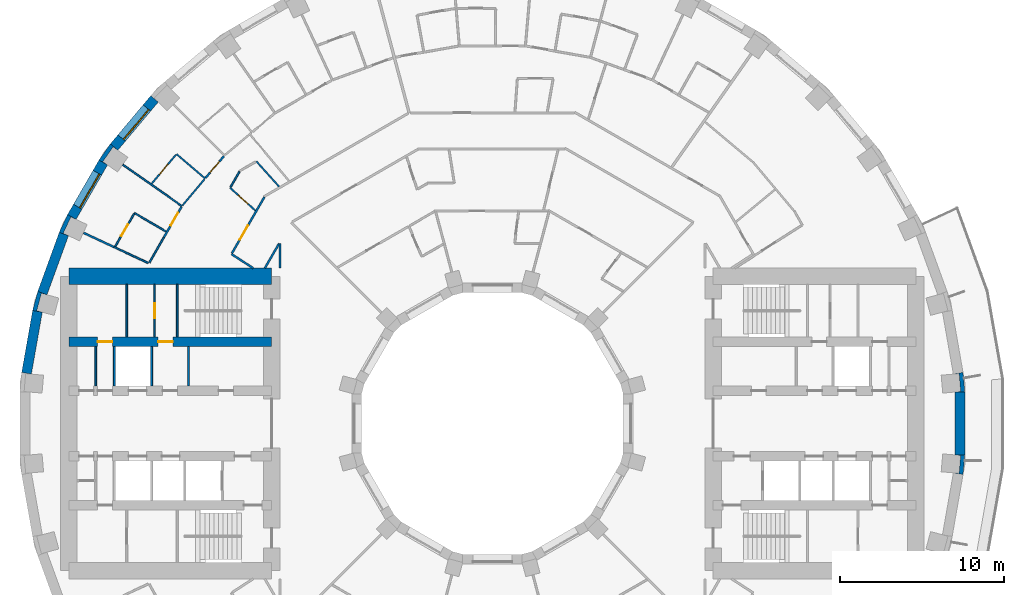
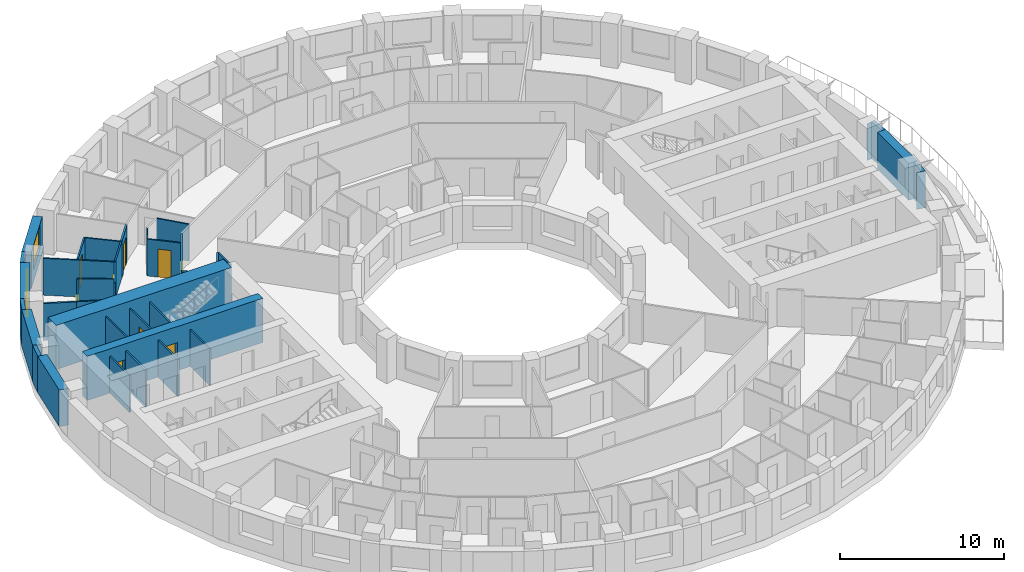
# One storey, part 8 of 14: 37 walls, 9 doors, 2 windows, 11 openings.
"""IFC4 building model written with IfcOpenShell, lengths in metres."""

from ifc_helpers import new_model, si_unit, direction, frame, frame_2d, origin, place, context, subcontext, project, spatial, polyline, rectangle, outline, extrude, material, layer, layer_set, type_object, element, fill, save


model = new_model("IFC4")

# Units and contexts
model_context = context("Model", 3, precision=1e-05, world=origin(), true_north=direction((0.0, 1.0)))
body_context = subcontext(model_context, "Body", "Model", "MODEL_VIEW")
ifc_project = project(units=[si_unit("LENGTHUNIT", "METRE"), si_unit("AREAUNIT", "SQUARE_METRE"), si_unit("VOLUMEUNIT", "CUBIC_METRE"), si_unit("PLANEANGLEUNIT", "RADIAN"), si_unit("MASSUNIT", "GRAM", prefix="KILO")], contexts=[model_context])

# Site, building, storey
site_placement = place(None, origin())
site = spatial("IfcSite", under=ifc_project, at=site_placement, CompositionType="ELEMENT")
building_placement = place(site_placement, origin())
building = spatial("IfcBuilding", under=site, at=building_placement, Name="Saqina Gate Tower", CompositionType="ELEMENT")
storey_placement = place(building_placement, frame((0.0, 0.0, 46.10009765625)))
storey = spatial("IfcBuildingStorey", under=building, at=storey_placement, Name="L12", CompositionType="ELEMENT", Elevation=46.10009765625)

# Walls
ifc_material_1 = material(Name="Brick masonry (red)", Category="masonry")
wall_type_1 = type_object("IfcWallType", Name="BRICK PIER COPING RED", PredefinedType="SOLIDWALL", material=ifc_material_1)
wall_1_placement = place(storey_placement, origin())
element("IfcWall", 1, at=wall_1_placement, inside=storey, type_object=wall_type_1, Name="Pier cap L12 column 1", PredefinedType="SOLIDWALL", context=body_context, shape_type="SweptSolid", body=[
    extrude(outline(polyline([(28.8896484375, 1.9228515625), (28.78466796875, 3.122802734375), (28.19384765625, 3.018798828125), (28.54296875, 3.04931640625), (28.638671875, 1.95361328125), (28.28955078125, 1.9228515625), (28.8896484375, 1.9228515625)])), origin(), (0.0, 0.0, 1.0), 2.75),
])
wall_2_placement = place(storey_placement, origin())
element("IfcWall", 2, at=wall_2_placement, inside=storey, type_object=wall_type_1, Name="Pier cap L12 column 15", PredefinedType="SOLIDWALL", context=body_context, shape_type="SweptSolid", body=[
    extrude(outline(polyline([(-23.36669921875, 17.096923828125), (-24.0576171875, 16.110107421875), (-23.5380859375, 15.81005859375), (-23.8251953125, 16.010986328125), (-23.194091796875, 16.912109375), (-22.9072265625, 16.711181640625), (-23.36669921875, 17.096923828125)])), origin(), (0.0, 0.0, 1.0), 2.75),
])
wall_3_placement = place(storey_placement, origin())
element("IfcWall", 3, at=wall_3_placement, inside=storey, type_object=wall_type_1, Name="Pier cap L12 column 16", PredefinedType="SOLIDWALL", context=body_context, shape_type="SweptSolid", body=[
    extrude(outline(polyline([(-26.48974609375, 11.687744140625), (-25.92578125, 11.482666015625), (-26.243408203125, 11.630615234375), (-25.778564453125, 12.627685546875), (-25.4609375, 12.4794921875), (-25.980712890625, 12.779541015625), (-26.48974609375, 11.687744140625)])), origin(), (0.0, 0.0, 1.0), 2.75),
])
wall_4_placement = place(storey_placement, origin())
element("IfcWall", 4, at=wall_4_placement, inside=storey, type_object=wall_type_1, Name="Pier cap L12 column 17", PredefinedType="SOLIDWALL", context=body_context, shape_type="SweptSolid", body=[
    extrude(outline(polyline([(-28.11669921875, 6.910400390625), (-27.52587890625, 6.80615234375), (-27.864501953125, 6.896728515625), (-27.57958984375, 7.95947265625), (-27.2412109375, 7.86865234375), (-27.80517578125, 8.073974609375), (-28.11669921875, 6.910400390625)])), origin(), (0.0, 0.0, 1.0), 2.75),
])
wall_5_placement = place(storey_placement, origin())
element("IfcWall", 5, at=wall_5_placement, inside=storey, type_object=wall_type_1, Name="Pier cap L12 column 36", PredefinedType="SOLIDWALL", context=body_context, shape_type="SweptSolid", body=[
    extrude(outline(polyline([(28.78466796875, -3.122802734375), (28.8896484375, -1.9228515625), (28.28955078125, -1.9228515625), (28.638671875, -1.95361328125), (28.54296875, -3.04931640625), (28.19384765625, -3.018798828125), (28.78466796875, -3.122802734375)])), origin(), (0.0, 0.0, 1.0), 2.75),
])
ifc_material_2 = material(Name="Gypsum board on steel studs", Category="steel")
ifc_layer_1 = layer(ifc_material_2, 0.10009765625)
ifc_layer_set_1 = layer_set([ifc_layer_1], Name="CORE PARTITION")
wall_type_2 = type_object("IfcWallType", Name="CORE PARTITION", PredefinedType="PARTITIONING", material=ifc_layer_set_1)
for number, where, z_axis, x_axis, name in (
    (6, (-18.582763671875, 2.300048828125, 0.0), (0.0, 0.0, 1.0), (0.0, 1.0, 0.0), "L12-CP-W01"),
    (7, (-24.260009765625, 2.300048828125, 0.0), (0.0, 0.0, 1.0), (0.0, 1.0, 0.0), "L12-CP-W04"),
):
    element("IfcWall", number, at=place(storey_placement, frame(where, z_axis=z_axis, x_axis=x_axis)), inside=storey, type_object=wall_type_2, Name=name, PredefinedType="PARTITIONING", context=body_context, shape_type="SweptSolid", body=[
        extrude(rectangle(XDim=2.39990234375, YDim=0.10009765625, at=frame_2d((1.199951171875, 0.0))), origin(), (0.0, 0.0, 1.0), 2.75),
    ])

# Wall, opening, door
wall_6_placement = place(storey_placement, frame((-20.65771484375, 5.300048828125, 0.0), z_axis=(0.0, 0.0, 1.0), x_axis=(0.0, 1.0, 0.0)))
wall_6 = element("IfcWall", 8, at=wall_6_placement, inside=storey, type_object=wall_type_2, Name="L12-CP-W12", PredefinedType="PARTITIONING", context=body_context, shape_type="SweptSolid", body=[
    extrude(rectangle(XDim=3.199951171875, YDim=0.10009765625, at=frame_2d((1.60009765625, 0.0))), origin(), (0.0, 0.0, 1.0), 2.75),
])
opening_1_placement = place(wall_6_placement, frame((1.14990234375, 0.0, 0.0)))
opening_1 = element("IfcOpeningElement", 9, at=opening_1_placement, cuts=wall_6, Name="Opening G03-D114", PredefinedType="OPENING", context=body_context, shape_type="SweptSolid", body=[
    extrude(rectangle(XDim=0.89990234375, YDim=2.10009765625, at=frame_2d((0.449951171875, 1.050048828125))), frame((0.0, 0.06201171875, 0.0), z_axis=(0.0, -1.0, 0.0), x_axis=(1.0, 0.0, 0.0)), (0.0, 0.0, 1.0), 0.1240234375),
])
ifc_material_3 = material(Name="Steel-framed fire door leaf, EI 60", Category="steel")
door_type_1 = type_object("IfcDoorType", Name="SERVICE ROOM DOOR 900", OperationType="SINGLE_SWING_LEFT", PredefinedType="DOOR", material=ifc_material_3)
door_1_placement = place(opening_1_placement, origin())
door_1 = element("IfcDoor", 10, at=door_1_placement, inside=storey, type_object=door_type_1, Name="L12-CD-W25", OperationType="SINGLE_SWING_LEFT", OverallHeight=2.10009765625, OverallWidth=0.89990234375, PredefinedType="DOOR", context=body_context, shape_type="SweptSolid", body=[
    extrude(rectangle(XDim=0.89990234375, YDim=2.10009765625, at=frame_2d((0.449951171875, 1.050048828125))), frame((0.0, 0.02490234375, 0.0), z_axis=(0.0, -1.0, 0.0), x_axis=(1.0, 0.0, 0.0)), (0.0, 0.0, 1.0), 0.050048828125),
])
fill(opening_1, door_1)

# Wall
wall_7_placement = place(storey_placement, frame((-22.360107421875, 5.300048828125, 0.0), z_axis=(0.0, 0.0, 1.0), x_axis=(0.0, 1.0, 0.0)))
element("IfcWall", 11, at=wall_7_placement, inside=storey, type_object=wall_type_2, Name="L12-CP-W13", PredefinedType="PARTITIONING", context=body_context, shape_type="SweptSolid", body=[
    extrude(rectangle(XDim=3.199951171875, YDim=0.10009765625, at=frame_2d((1.60009765625, 0.0))), origin(), (0.0, 0.0, 1.0), 2.75),
])

# Wall, opening, window
ifc_material_4 = material(Name="Brick masonry (red)", Category="masonry")
ifc_layer_2 = layer(ifc_material_4, 0.60009765625)
ifc_layer_set_2 = layer_set([ifc_layer_2], Name="FW-BRICK-RED")
wall_type_3 = type_object("IfcWallType", Name="FW-BRICK-RED", PredefinedType="SOLIDWALL", material=ifc_layer_set_2)
wall_8_placement = place(storey_placement, frame((-20.664794921875, 19.85009765625, 0.0), z_axis=(0.0, 0.0, 1.0), x_axis=(-0.642809392687, -0.766026164483, 0.0)))
wall_8 = element("IfcWall", 12, at=wall_8_placement, inside=storey, type_object=wall_type_3, Name="Facade wall L12 facet 14", PredefinedType="SOLIDWALL", context=body_context, shape_type="SweptSolid", body=[
    extrude(rectangle(XDim=3.845947265625, YDim=0.60009765625, at=frame_2d((1.9228515625, 0.0))), origin(), (0.0, 0.0, 1.0), 2.75),
])
opening_2_placement = place(wall_8_placement, frame((0.722900390625, 0.0, 0.89990234375)))
opening_2 = element("IfcOpeningElement", 13, at=opening_2_placement, cuts=wall_8, Name="Opening G03-W12", PredefinedType="OPENING", context=body_context, shape_type="SweptSolid", body=[
    extrude(rectangle(XDim=2.39990234375, YDim=1.800048828125, at=frame_2d((1.199951171875, 0.89990234375))), frame((0.0, 0.31201171875, 0.0), z_axis=(0.0, -1.0, 0.0), x_axis=(1.0, 0.0, 0.0)), (0.0, 0.0, 1.0), 0.6240234375),
])
ifc_material_5 = material(Name="Aluminium glazing", Category="aluminium")
window_type = type_object("IfcWindowType", Name="WN-A", PartitioningType="SINGLE_PANEL", PredefinedType="WINDOW", material=ifc_material_5)
window_1_placement = place(opening_2_placement, origin())
window_1 = element("IfcWindow", 14, at=window_1_placement, inside=storey, type_object=window_type, Name="Window L12 facet 14", OverallHeight=1.800048828125, OverallWidth=2.39990234375, PartitioningType="SINGLE_PANEL", PredefinedType="WINDOW", context=body_context, shape_type="SweptSolid", body=[
    extrude(rectangle(XDim=2.39990234375, YDim=1.800048828125, at=frame_2d((1.199951171875, 0.89990234375))), frame((0.0, 0.179931640625, 0.0), z_axis=(0.0, -1.0, 0.0), x_axis=(1.0, 0.0, 0.0)), (0.0, 0.0, 1.0), 0.06005859375),
])
fill(opening_2, window_1)

wall_9_placement = place(storey_placement, frame((-23.7978515625, 15.960205078125, 0.0), z_axis=(0.0, 0.0, 1.0), x_axis=(-0.499989888488, -0.86603124159, 0.0)))
wall_9 = element("IfcWall", 15, at=wall_9_placement, inside=storey, type_object=wall_type_3, Name="Facade wall L12 facet 15", PredefinedType="SOLIDWALL", context=body_context, shape_type="SweptSolid", body=[
    extrude(rectangle(XDim=3.845703125, YDim=0.60009765625, at=frame_2d((1.9228515625, 0.0))), origin(), (0.0, 0.0, 1.0), 2.75),
])
opening_3_placement = place(wall_9_placement, frame((0.722900390625, 0.0, 0.89990234375)))
opening_3 = element("IfcOpeningElement", 16, at=opening_3_placement, cuts=wall_9, Name="Opening G03-W13", PredefinedType="OPENING", context=body_context, shape_type="SweptSolid", body=[
    extrude(rectangle(XDim=2.39990234375, YDim=1.800048828125, at=frame_2d((1.199951171875, 0.89990234375))), frame((0.0, 0.31201171875, 0.0), z_axis=(0.0, -1.0, 0.0), x_axis=(1.0, 0.0, 0.0)), (0.0, 0.0, 1.0), 0.6240234375),
])
window_2_placement = place(opening_3_placement, origin())
window_2 = element("IfcWindow", 17, at=window_2_placement, inside=storey, type_object=window_type, Name="Window L12 facet 15", OverallHeight=1.800048828125, OverallWidth=2.39990234375, PartitioningType="SINGLE_PANEL", PredefinedType="WINDOW", context=body_context, shape_type="SweptSolid", body=[
    extrude(rectangle(XDim=2.39990234375, YDim=1.800048828125, at=frame_2d((1.199951171875, 0.89990234375))), frame((0.0, 0.179931640625, 0.0), z_axis=(0.0, -1.0, 0.0), x_axis=(1.0, 0.0, 0.0)), (0.0, 0.0, 1.0), 0.06005859375),
])
fill(opening_3, window_2)

# Walls
ifc_material_6 = material(Name="Glazed ceramic tile", Category="ceramic")
ifc_layer_3 = layer(ifc_material_6, 0.60009765625)
ifc_layer_set_3 = layer_set([ifc_layer_3], Name="FW-TILE")
wall_type_4 = type_object("IfcWallType", Name="FW-TILE", PredefinedType="SOLIDWALL", material=ifc_layer_set_3)
wall_10_placement = place(storey_placement, frame((-27.8212890625, 6.858154296875, 0.0), z_axis=(0.0, 0.0, 1.0), x_axis=(-0.173687553279, -0.984800809218, 0.0)))
element("IfcWall", 18, at=wall_10_placement, inside=storey, type_object=wall_type_4, Name="Facade wall L12 facet 17", PredefinedType="SOLIDWALL", context=body_context, shape_type="SweptSolid", body=[
    extrude(rectangle(XDim=3.845703125, YDim=0.60009765625, at=frame_2d((1.9228515625, 0.0))), origin(), (0.0, 0.0, 1.0), 2.75),
])
ifc_material_7 = material(Name="Glazed ceramic tile (white)", Category="ceramic")
ifc_layer_4 = layer(ifc_material_7, 0.60009765625)
ifc_layer_set_4 = layer_set([ifc_layer_4], Name="FW-TILE-WH")
wall_type_5 = type_object("IfcWallType", Name="FW-TILE-WH", PredefinedType="SOLIDWALL", material=ifc_layer_set_4)
wall_11_placement = place(storey_placement, frame((-26.207763671875, 11.585205078125, 0.0), z_axis=(0.0, 0.0, 1.0), x_axis=(-0.342028474173, -0.939689588564, 0.0)))
element("IfcWall", 19, at=wall_11_placement, inside=storey, type_object=wall_type_5, Name="Facade wall L12 facet 16", PredefinedType="SOLIDWALL", context=body_context, shape_type="SweptSolid", body=[
    extrude(rectangle(XDim=3.845947265625, YDim=0.60009765625, at=frame_2d((1.9228515625, 0.0))), origin(), (0.0, 0.0, 1.0), 2.75),
])
wall_12_placement = place(storey_placement, frame((28.589599609375, -1.9228515625, 0.0), z_axis=(0.0, 0.0, 1.0), x_axis=(0.0, 1.0, 0.0)))
element("IfcWall", 20, at=wall_12_placement, inside=storey, type_object=wall_type_5, Name="Facade wall L12 facet 36", PredefinedType="SOLIDWALL", context=body_context, shape_type="SweptSolid", body=[
    extrude(rectangle(XDim=3.845703125, YDim=0.60009765625, at=frame_2d((1.9228515625, 0.0))), origin(), (0.0, 0.0, 1.0), 2.75),
])
ifc_material_8 = material(Name="Gypsum board on steel studs, 100 mm", Category="steel")
ifc_layer_5 = layer(ifc_material_8, 0.10009765625)
ifc_layer_set_5 = layer_set([ifc_layer_5], Name="PARTITION 100")
wall_type_6 = type_object("IfcWallType", Name="PARTITION 100", PredefinedType="PARTITIONING", material=ifc_layer_set_5)
wall_13_placement = place(storey_placement, frame((-14.43408203125, 16.030029296875, 0.0), z_axis=(0.0, 0.0, 1.0), x_axis=(0.669113598408, -0.743160139153, 0.0)))
element("IfcWall", 21, at=wall_13_placement, inside=storey, type_object=wall_type_6, Name="PARTITION PW3-32", PredefinedType="PARTITIONING", context=body_context, shape_type="SweptSolid", body=[
    extrude(rectangle(XDim=2.083740234375, YDim=0.10009765625, at=frame_2d((1.0419921875, 0.0))), origin(), (0.0, 0.0, 1.0), 2.75),
])

# Wall, opening, door
wall_14_placement = place(storey_placement, frame((-16.0419921875, 14.4130859375, 0.0), z_axis=(0.0, 0.0, 1.0), x_axis=(0.743835847678, -0.668362350608, 0.0)))
wall_14 = element("IfcWall", 22, at=wall_14_placement, inside=storey, type_object=wall_type_6, Name="PARTITION PW3-35", PredefinedType="PARTITIONING", context=body_context, shape_type="SweptSolid", body=[
    extrude(rectangle(XDim=2.083251953125, YDim=0.10009765625, at=frame_2d((1.04150390625, 0.0))), origin(), (0.0, 0.0, 1.0), 2.75),
])
opening_4_placement = place(wall_14_placement, frame((0.6728515625, 0.0, 0.0)))
opening_4 = element("IfcOpeningElement", 23, at=opening_4_placement, cuts=wall_14, Name="Opening G03-D34", PredefinedType="OPENING", context=body_context, shape_type="SweptSolid", body=[
    extrude(rectangle(XDim=0.800048828125, YDim=2.10009765625, at=frame_2d((0.39990234375, 1.050048828125))), frame((0.0, 0.06201171875, 0.0), z_axis=(0.0, -1.0, 0.0), x_axis=(1.0, 0.0, 0.0)), (0.0, 0.0, 1.0), 0.1240234375),
])
ifc_material_9 = material(Name="Timber door leaf, 800 mm", Category="wood")
door_type_2 = type_object("IfcDoorType", Name="DOOR 800 TIMBER", OperationType="SINGLE_SWING_LEFT", PredefinedType="DOOR", material=ifc_material_9)
door_2_placement = place(opening_4_placement, frame((0.800048828125, 0.0, 0.0), z_axis=(0.0, 0.0, 1.0), x_axis=(-1.0, 0.0, 0.0)))
door_2 = element("IfcDoor", 24, at=door_2_placement, inside=storey, type_object=door_type_2, Name="DOOR G03-D34", OperationType="SINGLE_SWING_LEFT", OverallHeight=2.10009765625, OverallWidth=0.800048828125, PredefinedType="DOOR", context=body_context, shape_type="SweptSolid", body=[
    extrude(rectangle(XDim=0.800048828125, YDim=2.10009765625, at=frame_2d((0.39990234375, 1.050048828125))), frame((0.0, 0.02490234375, 0.0), z_axis=(0.0, -1.0, 0.0), x_axis=(1.0, 0.0, 0.0)), (0.0, 0.0, 1.0), 0.050048828125),
])
fill(opening_4, door_2)

# Walls
wall_15_placement = place(storey_placement, frame((-19.319091796875, 16.47607421875, 0.0), z_axis=(0.0, 0.0, 1.0), x_axis=(0.760722977127, -0.649076691979, 0.0)))
element("IfcWall", 25, at=wall_15_placement, inside=storey, type_object=wall_type_6, Name="PARTITION PW3-36", PredefinedType="PARTITIONING", context=body_context, shape_type="SweptSolid", body=[
    extrude(rectangle(XDim=2.300537109375, YDim=0.10009765625, at=frame_2d((1.150390625, 0.0))), origin(), (0.0, 0.0, 1.0), 2.75),
])
wall_16_placement = place(storey_placement, frame((-22.597412109375, 15.829345703125, 0.0), z_axis=(0.0, 0.0, 1.0), x_axis=(0.818435722788, -0.57459809229, 0.0)))
element("IfcWall", 26, at=wall_16_placement, inside=storey, type_object=wall_type_6, Name="PARTITION PW3-41", PredefinedType="PARTITIONING", context=body_context, shape_type="SweptSolid", body=[
    extrude(rectangle(XDim=4.41259765625, YDim=0.10009765625, at=frame_2d((2.206298828125, 0.0))), origin(), (0.0, 0.0, 1.0), 2.75),
])
wall_17_placement = place(storey_placement, frame((-21.885986328125, 12.87109375, 0.0), z_axis=(0.0, 0.0, 1.0), x_axis=(0.861880909545, -0.507110735206, 0.0)))
element("IfcWall", 27, at=wall_17_placement, inside=storey, type_object=wall_type_6, Name="PARTITION PW3-43", PredefinedType="PARTITIONING", context=body_context, shape_type="SweptSolid", body=[
    extrude(rectangle(XDim=2.2373046875, YDim=0.10009765625, at=frame_2d((1.11865234375, 0.0))), origin(), (0.0, 0.0, 1.0), 2.75),
])
wall_18_placement = place(storey_placement, frame((-23.144287109375, 10.7919921875, 0.0), z_axis=(0.0, 0.0, 1.0), x_axis=(0.906334330548, -0.422561334329, 0.0)))
element("IfcWall", 28, at=wall_18_placement, inside=storey, type_object=wall_type_6, Name="PARTITION PW3-52", PredefinedType="PARTITIONING", context=body_context, shape_type="SweptSolid", body=[
    extrude(rectangle(XDim=2.309326171875, YDim=0.10009765625, at=frame_2d((1.15478515625, 0.0))), origin(), (0.0, 0.0, 1.0), 2.75),
])
wall_19_placement = place(storey_placement, frame((-18.953857421875, 13.332275390625, 0.0), z_axis=(0.0, 0.0, 1.0), x_axis=(0.642759429892, 0.766068087891, 0.0)))
element("IfcWall", 29, at=wall_19_placement, inside=storey, type_object=wall_type_6, Name="PARTITION PW3-103", PredefinedType="PARTITIONING", context=body_context, shape_type="SweptSolid", body=[
    extrude(rectangle(XDim=2.104736328125, YDim=0.10009765625, at=frame_2d((1.05224609375, 0.0))), origin(), (0.0, 0.0, 1.0), 2.75),
])

# Wall, opening, door
wall_20_placement = place(storey_placement, frame((-20.844970703125, 14.6572265625, 0.0), z_axis=(0.0, 0.0, 1.0), x_axis=(0.642753483788, 0.766073076853, 0.0)))
wall_20 = element("IfcWall", 30, at=wall_20_placement, inside=storey, type_object=wall_type_6, Name="PARTITION PW3-104", PredefinedType="PARTITIONING", context=body_context, shape_type="SweptSolid", body=[
    extrude(rectangle(XDim=2.32421875, YDim=0.10009765625, at=frame_2d((1.162109375, 0.0))), origin(), (0.0, 0.0, 1.0), 2.75),
])
opening_5_placement = place(wall_20_placement, frame((0.761962890625, 0.0, 0.0)))
opening_5 = element("IfcOpeningElement", 31, at=opening_5_placement, cuts=wall_20, Name="Opening G03-D35", PredefinedType="OPENING", context=body_context, shape_type="SweptSolid", body=[
    extrude(rectangle(XDim=0.800048828125, YDim=2.10009765625, at=frame_2d((0.39990234375, 1.050048828125))), frame((0.0, 0.06201171875, 0.0), z_axis=(0.0, -1.0, 0.0), x_axis=(1.0, 0.0, 0.0)), (0.0, 0.0, 1.0), 0.1240234375),
])
door_3_placement = place(opening_5_placement, origin())
door_3 = element("IfcDoor", 32, at=door_3_placement, inside=storey, type_object=door_type_2, Name="DOOR G03-D35", OperationType="SINGLE_SWING_LEFT", OverallHeight=2.10009765625, OverallWidth=0.800048828125, PredefinedType="DOOR", context=body_context, shape_type="SweptSolid", body=[
    extrude(rectangle(XDim=0.800048828125, YDim=2.10009765625, at=frame_2d((0.39990234375, 1.050048828125))), frame((0.0, 0.02490234375, 0.0), z_axis=(0.0, -1.0, 0.0), x_axis=(1.0, 0.0, 0.0)), (0.0, 0.0, 1.0), 0.050048828125),
])
fill(opening_5, door_3)

# Walls
wall_21_placement = place(storey_placement, frame((-16.01708984375, 14.456298828125, 0.0), z_axis=(0.0, 0.0, 1.0), x_axis=(0.499864305946, 0.86610373261, 0.0)))
element("IfcWall", 33, at=wall_21_placement, inside=storey, type_object=wall_type_6, Name="PARTITION PW3-108", PredefinedType="PARTITIONING", context=body_context, shape_type="SweptSolid", body=[
    extrude(rectangle(XDim=1.092529296875, YDim=0.10009765625, at=frame_2d((0.54638671875, 0.0))), origin(), (0.0, 0.0, 1.0), 2.75),
])
wall_22_placement = place(storey_placement, frame((-20.98095703125, 9.83837890625, 0.0), z_axis=(0.0, 0.0, 1.0), x_axis=(0.49973828311, 0.866176453382, 0.0)))
element("IfcWall", 34, at=wall_22_placement, inside=storey, type_object=wall_type_6, Name="PARTITION PW3-109", PredefinedType="PARTITIONING", context=body_context, shape_type="SweptSolid", body=[
    extrude(rectangle(XDim=1.7802734375, YDim=0.10009765625, at=frame_2d((0.89013671875, 0.0))), origin(), (0.0, 0.0, 1.0), 2.75),
])

# Wall, opening, door
wall_23_placement = place(storey_placement, frame((-23.07275390625, 10.816162109375, 0.0), z_axis=(0.0, 0.0, 1.0), x_axis=(0.500174283544, 0.865924757748, 0.0)))
wall_23 = element("IfcWall", 35, at=wall_23_placement, inside=storey, type_object=wall_type_6, Name="PARTITION PW3-110", PredefinedType="PARTITIONING", context=body_context, shape_type="SweptSolid", body=[
    extrude(rectangle(XDim=2.322998046875, YDim=0.10009765625, at=frame_2d((1.16162109375, 0.0))), origin(), (0.0, 0.0, 1.0), 2.75),
])
opening_6_placement = place(wall_23_placement, frame((0.76025390625, 0.0, 0.0)))
opening_6 = element("IfcOpeningElement", 36, at=opening_6_placement, cuts=wall_23, Name="Opening G03-D38", PredefinedType="OPENING", context=body_context, shape_type="SweptSolid", body=[
    extrude(rectangle(XDim=0.800048828125, YDim=2.10009765625, at=frame_2d((0.39990234375, 1.050048828125))), frame((0.0, 0.06201171875, 0.0), z_axis=(0.0, -1.0, 0.0), x_axis=(1.0, 0.0, 0.0)), (0.0, 0.0, 1.0), 0.1240234375),
])
door_4_placement = place(opening_6_placement, origin())
door_4 = element("IfcDoor", 37, at=door_4_placement, inside=storey, type_object=door_type_2, Name="DOOR G03-D38", OperationType="SINGLE_SWING_LEFT", OverallHeight=2.10009765625, OverallWidth=0.800048828125, PredefinedType="DOOR", context=body_context, shape_type="SweptSolid", body=[
    extrude(rectangle(XDim=0.800048828125, YDim=2.10009765625, at=frame_2d((0.39990234375, 1.050048828125))), frame((0.0, 0.02490234375, 0.0), z_axis=(0.0, -1.0, 0.0), x_axis=(1.0, 0.0, 0.0)), (0.0, 0.0, 1.0), 0.050048828125),
])
fill(opening_6, door_4)

# Walls
ifc_material_10 = material(Name="Gypsum board on steel studs, 125 mm, fire rated", Category="steel")
ifc_layer_6 = layer(ifc_material_10, 0.125)
ifc_layer_set_6 = layer_set([ifc_layer_6], Name="PARTITION EI 30 125")
wall_type_7 = type_object("IfcWallType", Name="PARTITION EI 30 125", PredefinedType="PARTITIONING", material=ifc_layer_set_6)
wall_24_placement = place(storey_placement, frame((-15.95703125, 10.362060546875, 0.0), z_axis=(0.0, 0.0, 1.0), x_axis=(0.838795721465, -0.544446267002, 0.0)))
element("IfcWall", 38, at=wall_24_placement, inside=storey, type_object=wall_type_7, Name="PARTITION PW1-10", PredefinedType="PARTITIONING", context=body_context, shape_type="SweptSolid", body=[
    extrude(rectangle(XDim=1.583251953125, YDim=0.125, at=frame_2d((0.79150390625, 0.0))), origin(), (0.0, 0.0, 1.0), 2.75),
])
wall_25_placement = place(storey_placement, frame((-25.005126953125, 11.65966796875, 0.0), z_axis=(0.0, 0.0, 1.0), x_axis=(0.906316757735, -0.422599023483, 0.0)))
element("IfcWall", 39, at=wall_25_placement, inside=storey, type_object=wall_type_7, Name="PARTITION PW1-19", PredefinedType="PARTITIONING", context=body_context, shape_type="SweptSolid", body=[
    extrude(rectangle(XDim=2.05322265625, YDim=0.125, at=frame_2d((1.026611328125, 0.0))), origin(), (0.0, 0.0, 1.0), 2.75),
])

# Wall, opening, door
wall_26_placement = place(storey_placement, frame((-17.536865234375, 15.021240234375, 0.0), z_axis=(0.0, 0.0, 1.0), x_axis=(0.642878617967, 0.765968068891, 0.0)))
wall_26 = element("IfcWall", 40, at=wall_26_placement, inside=storey, type_object=wall_type_7, Name="PARTITION PW1-50", PredefinedType="PARTITIONING", context=body_context, shape_type="SweptSolid", body=[
    extrude(rectangle(XDim=1.735595703125, YDim=0.125, at=frame_2d((0.86767578125, 0.0))), origin(), (0.0, 0.0, 1.0), 2.75),
])
opening_7_placement = place(wall_26_placement, frame((0.417724609375, 0.0, 0.0)))
opening_7 = element("IfcOpeningElement", 41, at=opening_7_placement, cuts=wall_26, Name="Opening G03-D33", PredefinedType="OPENING", context=body_context, shape_type="SweptSolid", body=[
    extrude(rectangle(XDim=0.89990234375, YDim=2.10009765625, at=frame_2d((0.449951171875, 1.050048828125))), frame((0.0, 0.074462890625, 0.0), z_axis=(0.0, -1.0, 0.0), x_axis=(1.0, 0.0, 0.0)), (0.0, 0.0, 1.0), 0.14892578125),
])
ifc_material_11 = material(Name="Fire door leaf EI 30, 900 mm")
door_type_3 = type_object("IfcDoorType", Name="DOOR 900 EI 30", OperationType="SINGLE_SWING_LEFT", PredefinedType="DOOR", material=ifc_material_11)
door_5_placement = place(opening_7_placement, frame((0.89990234375, 0.0, 0.0), z_axis=(0.0, 0.0, 1.0), x_axis=(-1.0, 0.0, 0.0)))
door_5 = element("IfcDoor", 42, at=door_5_placement, inside=storey, type_object=door_type_3, Name="DOOR G03-D33", OperationType="SINGLE_SWING_LEFT", OverallHeight=2.10009765625, OverallWidth=0.89990234375, PredefinedType="DOOR", context=body_context, shape_type="SweptSolid", body=[
    extrude(rectangle(XDim=0.89990234375, YDim=2.10009765625, at=frame_2d((0.449951171875, 1.050048828125))), frame((0.0, 0.02490234375, 0.0), z_axis=(0.0, -1.0, 0.0), x_axis=(1.0, 0.0, 0.0)), (0.0, 0.0, 1.0), 0.050048828125),
])
fill(opening_7, door_5)

# Wall
wall_27_placement = place(storey_placement, frame((-13.9140625, 9.5, 0.0), z_axis=(0.0, 0.0, 1.0), x_axis=(0.500066958712, 0.865986741702, 0.0)))
element("IfcWall", 43, at=wall_27_placement, inside=storey, type_object=wall_type_7, Name="PARTITION PW1-53", PredefinedType="PARTITIONING", context=body_context, shape_type="SweptSolid", body=[
    extrude(rectangle(XDim=1.738037109375, YDim=0.125, at=frame_2d((0.869140625, 0.0))), origin(), (0.0, 0.0, 1.0), 2.75),
])

# Wall, opening, door
wall_28_placement = place(storey_placement, frame((-15.92578125, 10.416015625, 0.0), z_axis=(0.0, 0.0, 1.0), x_axis=(0.500020477838, 0.866013580576, 0.0)))
wall_28 = element("IfcWall", 44, at=wall_28_placement, inside=storey, type_object=wall_type_7, Name="PARTITION PW1-54", PredefinedType="PARTITIONING", context=body_context, shape_type="SweptSolid", body=[
    extrude(rectangle(XDim=3.970947265625, YDim=0.125, at=frame_2d((1.9853515625, 0.0))), origin(), (0.0, 0.0, 1.0), 2.75),
])
opening_8_placement = place(wall_28_placement, frame((0.948486328125, 0.0, 0.0)))
opening_8 = element("IfcOpeningElement", 45, at=opening_8_placement, cuts=wall_28, Name="Opening G03-D36", PredefinedType="OPENING", context=body_context, shape_type="SweptSolid", body=[
    extrude(rectangle(XDim=1.0, YDim=2.10009765625, at=frame_2d((0.5, 1.050048828125))), frame((0.0, 0.074462890625, 0.0), z_axis=(0.0, -1.0, 0.0), x_axis=(1.0, 0.0, 0.0)), (0.0, 0.0, 1.0), 0.14892578125),
])
ifc_material_12 = material(Name="Fire door leaf EI 30, 1000 mm")
door_type_4 = type_object("IfcDoorType", Name="DOOR 1000 EI 30", OperationType="SINGLE_SWING_LEFT", PredefinedType="DOOR", material=ifc_material_12)
door_6_placement = place(opening_8_placement, origin())
door_6 = element("IfcDoor", 46, at=door_6_placement, inside=storey, type_object=door_type_4, Name="DOOR G03-D36", OperationType="SINGLE_SWING_LEFT", OverallHeight=2.10009765625, OverallWidth=1.0, PredefinedType="DOOR", context=body_context, shape_type="SweptSolid", body=[
    extrude(rectangle(XDim=1.0, YDim=2.10009765625, at=frame_2d((0.5, 1.050048828125))), frame((0.0, 0.02490234375, 0.0), z_axis=(0.0, -1.0, 0.0), x_axis=(1.0, 0.0, 0.0)), (0.0, 0.0, 1.0), 0.050048828125),
])
fill(opening_8, door_6)

wall_29_placement = place(storey_placement, frame((-20.09130859375, 11.38037109375, 0.0), z_axis=(0.0, 0.0, 1.0), x_axis=(0.500296430081, 0.865854192141, 0.0)))
wall_29 = element("IfcWall", 47, at=wall_29_placement, inside=storey, type_object=wall_type_7, Name="PARTITION PW1-55", PredefinedType="PARTITIONING", context=body_context, shape_type="SweptSolid", body=[
    extrude(rectangle(XDim=2.159912109375, YDim=0.125, at=frame_2d((1.080078125, 0.0))), origin(), (0.0, 0.0, 1.0), 2.75),
])
opening_9_placement = place(wall_29_placement, frame((0.84228515625, 0.0, 0.0)))
opening_9 = element("IfcOpeningElement", 48, at=opening_9_placement, cuts=wall_29, Name="Opening G03-D37", PredefinedType="OPENING", context=body_context, shape_type="SweptSolid", body=[
    extrude(rectangle(XDim=0.89990234375, YDim=2.10009765625, at=frame_2d((0.449951171875, 1.050048828125))), frame((0.0, 0.074462890625, 0.0), z_axis=(0.0, -1.0, 0.0), x_axis=(1.0, 0.0, 0.0)), (0.0, 0.0, 1.0), 0.14892578125),
])
door_7_placement = place(opening_9_placement, frame((0.89990234375, 0.0, 0.0), z_axis=(0.0, 0.0, 1.0), x_axis=(-1.0, 0.0, 0.0)))
door_7 = element("IfcDoor", 49, at=door_7_placement, inside=storey, type_object=door_type_3, Name="DOOR G03-D37", OperationType="SINGLE_SWING_LEFT", OverallHeight=2.10009765625, OverallWidth=0.89990234375, PredefinedType="DOOR", context=body_context, shape_type="SweptSolid", body=[
    extrude(rectangle(XDim=0.89990234375, YDim=2.10009765625, at=frame_2d((0.449951171875, 1.050048828125))), frame((0.0, 0.02490234375, 0.0), z_axis=(0.0, -1.0, 0.0), x_axis=(1.0, 0.0, 0.0)), (0.0, 0.0, 1.0), 0.050048828125),
])
fill(opening_9, door_7)

# Walls
wall_30_placement = place(storey_placement, frame((-13.0, 9.5, 0.0), z_axis=(0.0, 0.0, 1.0), x_axis=(0.0, 1.0, 0.0)))
element("IfcWall", 50, at=wall_30_placement, inside=storey, type_object=wall_type_7, Name="PARTITION PW1-59", PredefinedType="PARTITIONING", context=body_context, shape_type="SweptSolid", body=[
    extrude(rectangle(XDim=1.5205078125, YDim=0.125, at=frame_2d((0.76025390625, 0.0))), origin(), (0.0, 0.0, 1.0), 2.75),
])
ifc_material_13 = material(Name="Autoclaved aerated concrete block", Category="concrete")
ifc_layer_7 = layer(ifc_material_13, 0.1201171875)
ifc_layer_set_7 = layer_set([ifc_layer_7], Name="SHAFT PARTITION")
wall_type_8 = type_object("IfcWallType", Name="SHAFT PARTITION", PredefinedType="PARTITIONING", material=ifc_layer_set_7)
for number, where, z_axis, x_axis, name in (
    (51, (-20.840087890625, 2.300048828125, 0.0), (0.0, 0.0, 1.0), (0.0, 1.0, 0.0), "L12-CP-W02"),
    (52, (-23.1201171875, 2.300048828125, 0.0), (0.0, 0.0, 1.0), (0.0, 1.0, 0.0), "L12-CP-W03"),
):
    element("IfcWall", number, at=place(storey_placement, frame(where, z_axis=z_axis, x_axis=x_axis)), inside=storey, type_object=wall_type_8, Name=name, PredefinedType="PARTITIONING", context=body_context, shape_type="SweptSolid", body=[
        extrude(rectangle(XDim=2.39990234375, YDim=0.1201171875, at=frame_2d((1.199951171875, 0.0))), origin(), (0.0, 0.0, 1.0), 2.75),
    ])
ifc_material_14 = material(Name="Autoclaved aerated concrete block", Category="concrete")
ifc_layer_8 = layer(ifc_material_14, 0.10009765625)
ifc_layer_set_8 = layer_set([ifc_layer_8], Name="STAIR ENCLOSURE WALL")
wall_type_9 = type_object("IfcWallType", Name="STAIR ENCLOSURE WALL", PredefinedType="PARTITIONING", material=ifc_layer_set_8)
wall_31_placement = place(storey_placement, frame((-19.27001953125, 5.300048828125, 0.0), z_axis=(0.0, 0.0, 1.0), x_axis=(0.0, 1.0, 0.0)))
element("IfcWall", 53, at=wall_31_placement, inside=storey, type_object=wall_type_9, Name="L12-CP-W11", PredefinedType="PARTITIONING", context=body_context, shape_type="SweptSolid", body=[
    extrude(rectangle(XDim=3.199951171875, YDim=0.10009765625, at=frame_2d((1.60009765625, 0.0))), origin(), (0.0, 0.0, 1.0), 2.75),
])

# Wall, openings, doors
ifc_material_15 = material(Name="Concrete C70/85", Category="concrete")
ifc_layer_9 = layer(ifc_material_15, 0.60009765625)
ifc_layer_set_9 = layer_set([ifc_layer_9], Name="Concrete C70/85")
wall_type_10 = type_object("IfcWallType", Name="STR-CORE WALL-A-I", PredefinedType="SHEAR", material=ifc_layer_set_9)
wall_32_placement = place(storey_placement, frame((-13.5, 5.0, 0.0), z_axis=(0.0, 0.0, 1.0), x_axis=(-1.0, 0.0, 0.0)))
wall_32 = element("IfcWall", 54, at=wall_32_placement, inside=storey, type_object=wall_type_10, Name="CORE WALL L12 W-X1", PredefinedType="SHEAR", context=body_context, shape_type="SweptSolid", body=[
    extrude(rectangle(XDim=12.39990234375, YDim=0.60009765625, at=frame_2d((6.199951171875, 0.0))), origin(), (0.0, 0.0, 1.0), 3.2998046875),
])
opening_10_placement = place(wall_32_placement, frame((6.038818359375, 0.0, 0.0)))
opening_10 = element("IfcOpeningElement", 55, at=opening_10_placement, cuts=wall_32, Name="Opening G03-D115", PredefinedType="OPENING", context=body_context, shape_type="SweptSolid", body=[
    extrude(rectangle(XDim=0.89990234375, YDim=2.10009765625, at=frame_2d((0.449951171875, 1.050048828125))), frame((0.0, 0.31201171875, 0.0), z_axis=(0.0, -1.0, 0.0), x_axis=(1.0, 0.0, 0.0)), (0.0, 0.0, 1.0), 0.6240234375),
])
opening_11_placement = place(wall_32_placement, frame((9.739990234375, 0.0, 0.0)))
opening_11 = element("IfcOpeningElement", 56, at=opening_11_placement, cuts=wall_32, Name="Opening G03-D116", PredefinedType="OPENING", context=body_context, shape_type="SweptSolid", body=[
    extrude(rectangle(XDim=0.89990234375, YDim=2.10009765625, at=frame_2d((0.449951171875, 1.050048828125))), frame((0.0, 0.31201171875, 0.0), z_axis=(0.0, -1.0, 0.0), x_axis=(1.0, 0.0, 0.0)), (0.0, 0.0, 1.0), 0.6240234375),
])
door_8_placement = place(opening_10_placement, origin())
door_8 = element("IfcDoor", 57, at=door_8_placement, inside=storey, type_object=door_type_1, Name="L12-CD-W26", OperationType="SINGLE_SWING_RIGHT", OverallHeight=2.10009765625, OverallWidth=0.89990234375, PredefinedType="DOOR", context=body_context, shape_type="SweptSolid", body=[
    extrude(rectangle(XDim=0.89990234375, YDim=2.10009765625, at=frame_2d((0.449951171875, 1.050048828125))), frame((0.0, 0.02490234375, 0.0), z_axis=(0.0, -1.0, 0.0), x_axis=(1.0, 0.0, 0.0)), (0.0, 0.0, 1.0), 0.050048828125),
])
fill(opening_10, door_8)
door_9_placement = place(opening_11_placement, frame((0.89990234375, 0.0, 0.0), z_axis=(0.0, 0.0, 1.0), x_axis=(-1.0, 0.0, 0.0)))
door_9 = element("IfcDoor", 58, at=door_9_placement, inside=storey, type_object=door_type_1, Name="L12-CD-W27", OperationType="SINGLE_SWING_LEFT", OverallHeight=2.10009765625, OverallWidth=0.89990234375, PredefinedType="DOOR", context=body_context, shape_type="SweptSolid", body=[
    extrude(rectangle(XDim=0.89990234375, YDim=2.10009765625, at=frame_2d((0.449951171875, 1.050048828125))), frame((0.0, 0.02490234375, 0.0), z_axis=(0.0, -1.0, 0.0), x_axis=(1.0, 0.0, 0.0)), (0.0, 0.0, 1.0), 0.050048828125),
])
fill(opening_11, door_9)

# Wall
ifc_material_16 = material(Name="Concrete C70/85", Category="concrete")
ifc_layer_10 = layer(ifc_material_16, 1.0)
ifc_layer_set_10 = layer_set([ifc_layer_10], Name="Concrete C70/85")
wall_type_11 = type_object("IfcWallType", Name="STR-CORE WALL-A-O", PredefinedType="SHEAR", material=ifc_layer_set_10)
wall_33_placement = place(storey_placement, frame((-13.5, 9.0, 0.0), z_axis=(0.0, 0.0, 1.0), x_axis=(-1.0, 0.0, 0.0)))
element("IfcWall", 59, at=wall_33_placement, inside=storey, type_object=wall_type_11, Name="CORE WALL L12 W-NE", PredefinedType="SHEAR", context=body_context, shape_type="SweptSolid", body=[
    extrude(rectangle(XDim=12.39990234375, YDim=1.0, at=frame_2d((6.199951171875, 0.0))), origin(), (0.0, 0.0, 1.0), 3.2998046875),
])

save(model, "model.ifc")
